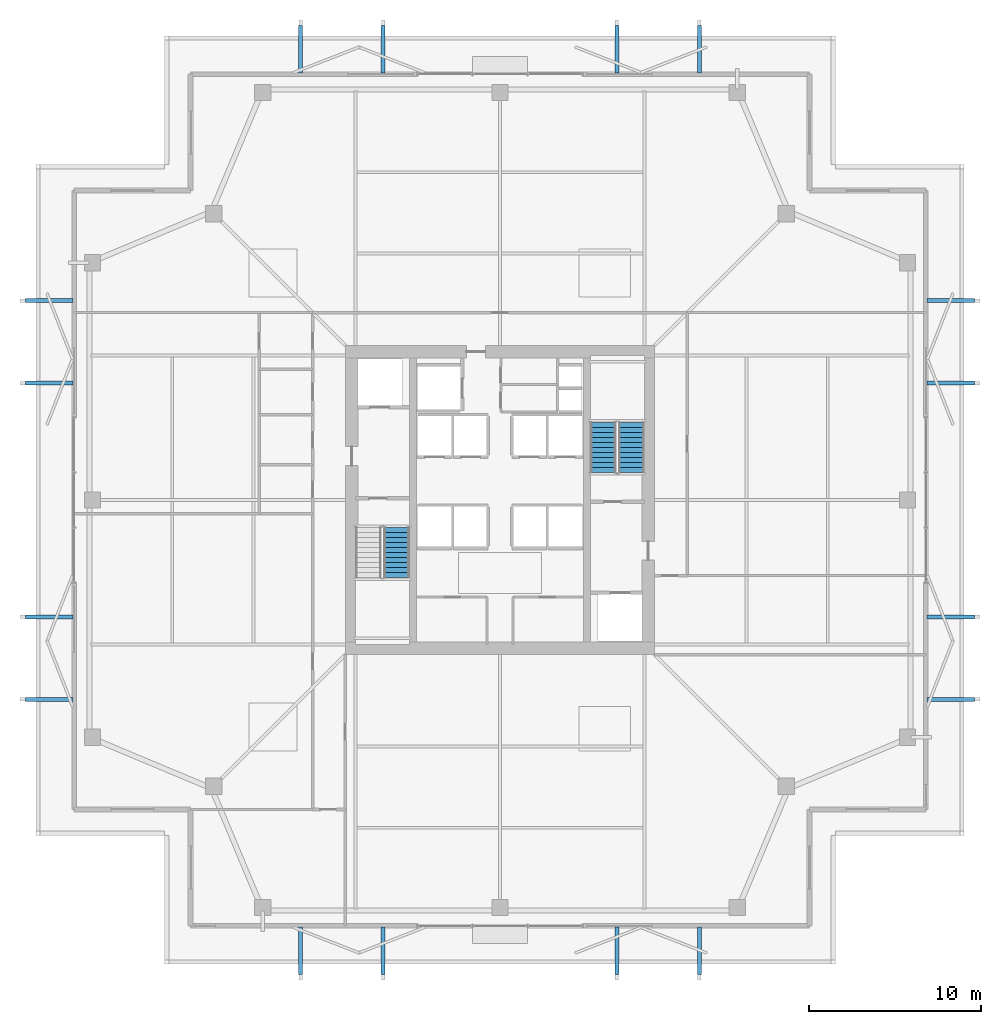
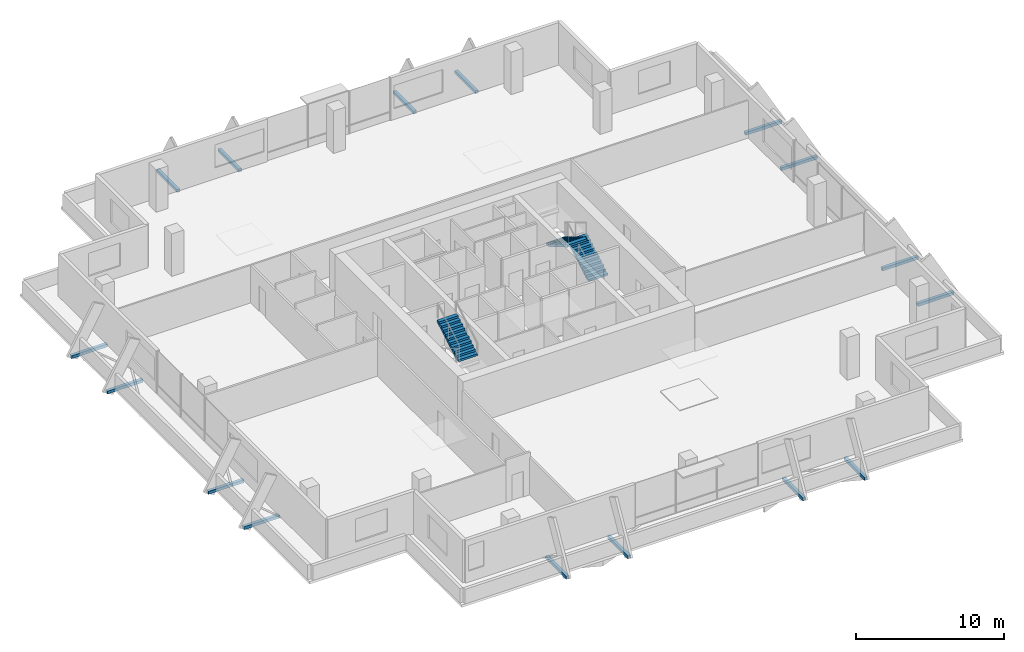
# One storey, part 15 of 17: 16 discrete accessories, 3 stair flights, 2 elements without a shape of their own.
"""IFC4 building model written with IfcOpenShell, lengths in metres."""

from ifc_helpers import new_model, si_unit, direction, frame, origin, origin_2d, place, context, subcontext, project, spatial, polyline, rectangle, outline, extrude, material, layer, layer_set, type_object, element, aggregate, save


model = new_model("IFC4")

# Units and contexts
model_context = context("Model", 3, precision=1e-05, world=origin(), true_north=direction((0.0, 1.0)))
body_context = subcontext(model_context, "Body", "Model", "MODEL_VIEW")
ifc_project = project(units=[si_unit("LENGTHUNIT", "METRE"), si_unit("AREAUNIT", "SQUARE_METRE"), si_unit("VOLUMEUNIT", "CUBIC_METRE"), si_unit("PLANEANGLEUNIT", "RADIAN"), si_unit("MASSUNIT", "GRAM", prefix="KILO")], contexts=[model_context])

# Site, building, storey
site_placement = place(None, origin())
site = spatial("IfcSite", under=ifc_project, at=site_placement, CompositionType="ELEMENT")
building_placement = place(site_placement, origin())
building = spatial("IfcBuilding", under=site, at=building_placement, Name="Belovzor Exchange Tower", CompositionType="ELEMENT")
storey_placement = place(building_placement, frame((0.0, 0.0, 246.60009765625)))
storey = spatial("IfcBuildingStorey", under=building, at=storey_placement, Name="L61", CompositionType="ELEMENT", Elevation=246.60009765625)

# Stair, stair flight
ifc_material_1 = material(Name="Concrete C40/50", Category="concrete")
stair_type = type_object("IfcStairType", Name="Reinforced Concrete Dogleg Escape Stair 1350", PredefinedType="HALF_TURN_STAIR", material=ifc_material_1)
stair_1_placement = place(storey_placement, origin())
stair_1 = element("IfcStair", 1, at=stair_1_placement, inside=storey, type_object=stair_type, Name="L61 ST-1", PredefinedType="HALF_TURN_STAIR")
ifc_material_2 = material(Name="Concrete C40/50", Category="concrete")
stair_flight_type = type_object("IfcStairFlightType", Name="Reinforced Concrete Stair Flight 1350", PredefinedType="STRAIGHT", material=ifc_material_2)
stair_flight_1_placement = place(storey_placement, frame((22.800048828125, 24.300048828125, 1.875), z_axis=(0.0, 0.0, 1.0), x_axis=(0.0, 1.0, 0.0)))
stair_flight_1 = element("IfcStairFlight", 2, at=stair_flight_1_placement, type_object=stair_flight_type, Name="ST-1 flight 2", NumberOfRisers=11, NumberOfTreads=10, PredefinedType="STRAIGHT", RiserHeight=0.170454545, TreadLength=0.29, context=body_context, shape_type="SweptSolid", body=[
    extrude(outline(polyline([(0.0, 0.0), (0.0, 0.17041015625), (0.2900390625, 0.17041015625), (0.2900390625, 0.3408203125), (0.580078125, 0.3408203125), (0.580078125, 0.511474609375), (0.8701171875, 0.511474609375), (0.8701171875, 0.681884765625), (1.159912109375, 0.681884765625), (1.159912109375, 0.852294921875), (1.449951171875, 0.852294921875), (1.449951171875, 1.022705078125), (1.739990234375, 1.022705078125), (1.739990234375, 1.193115234375), (2.030029296875, 1.193115234375), (2.030029296875, 1.363525390625), (2.320068359375, 1.363525390625), (2.320068359375, 1.5341796875), (2.610107421875, 1.5341796875), (2.610107421875, 1.70458984375), (2.89990234375, 1.70458984375), (2.89990234375, 1.875), (2.89990234375, 1.53076171875), (0.2958984375, 0.0), (0.0, 0.0)])), frame((0.0, 0.75, 0.0), z_axis=(0.0, -1.0, 0.0), x_axis=(1.0, 0.0, 0.0)), (0.0, 0.0, 1.0), 1.5),
])
aggregate(stair_1, [stair_flight_1])

# Stair, stair flights
stair_2_placement = place(storey_placement, origin())
stair_2 = element("IfcStair", 3, at=stair_2_placement, inside=storey, type_object=stair_type, Name="L61 ST-2", PredefinedType="HALF_TURN_STAIR")
stair_flight_2_placement = place(storey_placement, frame((36.449951171875, 30.39990234375, 0.0), z_axis=(0.0, 0.0, 1.0), x_axis=(0.0, 1.0, 0.0)))
stair_flight_2 = element("IfcStairFlight", 4, at=stair_flight_2_placement, type_object=stair_flight_type, Name="ST-2 flight 1", NumberOfRisers=11, NumberOfTreads=10, PredefinedType="STRAIGHT", RiserHeight=0.170454545, TreadLength=0.29, context=body_context, shape_type="SweptSolid", body=[
    extrude(outline(polyline([(0.0, 0.0), (0.0, 0.17041015625), (0.2900390625, 0.17041015625), (0.2900390625, 0.3408203125), (0.580078125, 0.3408203125), (0.580078125, 0.511474609375), (0.8701171875, 0.511474609375), (0.8701171875, 0.681884765625), (1.159912109375, 0.681884765625), (1.159912109375, 0.852294921875), (1.449951171875, 0.852294921875), (1.449951171875, 1.022705078125), (1.739990234375, 1.022705078125), (1.739990234375, 1.193115234375), (2.030029296875, 1.193115234375), (2.030029296875, 1.363525390625), (2.320068359375, 1.363525390625), (2.320068359375, 1.5341796875), (2.610107421875, 1.5341796875), (2.610107421875, 1.70458984375), (2.89990234375, 1.70458984375), (2.89990234375, 1.875), (2.89990234375, 1.53076171875), (0.2958984375, 0.0), (0.0, 0.0)])), frame((0.0, 0.75, 0.0), z_axis=(0.0, -1.0, 0.0), x_axis=(1.0, 0.0, 0.0)), (0.0, 0.0, 1.0), 1.5),
])
stair_flight_3_placement = place(storey_placement, frame((34.800048828125, 33.300048828125, 1.875), z_axis=(0.0, 0.0, 1.0), x_axis=(0.0, -1.0, 0.0)))
stair_flight_3 = element("IfcStairFlight", 5, at=stair_flight_3_placement, type_object=stair_flight_type, Name="ST-2 flight 2", NumberOfRisers=11, NumberOfTreads=10, PredefinedType="STRAIGHT", RiserHeight=0.170454545, TreadLength=0.29, context=body_context, shape_type="SweptSolid", body=[
    extrude(outline(polyline([(0.0, 0.0), (0.0, 0.17041015625), (0.2900390625, 0.17041015625), (0.2900390625, 0.3408203125), (0.580078125, 0.3408203125), (0.580078125, 0.511474609375), (0.8701171875, 0.511474609375), (0.8701171875, 0.681884765625), (1.159912109375, 0.681884765625), (1.159912109375, 0.852294921875), (1.449951171875, 0.852294921875), (1.449951171875, 1.022705078125), (1.739990234375, 1.022705078125), (1.739990234375, 1.193115234375), (2.030029296875, 1.193115234375), (2.030029296875, 1.363525390625), (2.320068359375, 1.363525390625), (2.320068359375, 1.5341796875), (2.610107421875, 1.5341796875), (2.610107421875, 1.70458984375), (2.89990234375, 1.70458984375), (2.89990234375, 1.875), (2.89990234375, 1.53076171875), (0.2958984375, 0.0), (0.0, 0.0)])), frame((0.0, 0.75, 0.0), z_axis=(0.0, -1.0, 0.0), x_axis=(1.0, 0.0, 0.0)), (0.0, 0.0, 1.0), 1.5),
])
aggregate(stair_2, [stair_flight_2, stair_flight_3])

# Discrete accessories
ifc_material_3 = material(Name="Stainless Steel Grade 316", Category="steel")
ifc_layer = layer(ifc_material_3, 0.179931640625)
ifc_layer_set = layer_set([ifc_layer], Name="Stainless Steel Grade 316")
discrete_accessory_type = type_object("IfcDiscreteAccessoryType", Name="Stainless Steel Facade Outrigger Fixing Bracket", PredefinedType="BRACKET", material=ifc_layer_set)
for number, where, z_axis, x_axis, name in (
    (6, (17.199951171875, 2.5869140625, -0.2451171875), (0.0, 0.0, 1.0), (0.0, 1.0, 0.0), "BRK-FIN1 Sweeping Fin Outrigger Bracket L61 S1"),
    (7, (17.199951171875, 55.012939453125, -0.2451171875), (0.0, 0.0, 1.0), (0.0, 1.0, 0.0), "BRK-FIN1 Sweeping Fin Outrigger Bracket L61 N1"),
    (8, (2.5869140625, 17.199951171875, -0.2451171875), (0.0, 0.0, 1.0), (1.0, 0.0, 0.0), "BRK-FIN1 Sweeping Fin Outrigger Bracket L61 W1"),
    (9, (55.012939453125, 17.199951171875, -0.2451171875), (0.0, 0.0, 1.0), (1.0, 0.0, 0.0), "BRK-FIN1 Sweeping Fin Outrigger Bracket L61 E1"),
    (10, (22.0, 2.5869140625, -0.2451171875), (0.0, 0.0, 1.0), (0.0, 1.0, 0.0), "BRK-FIN1 Sweeping Fin Outrigger Bracket L61 S2"),
    (11, (22.0, 55.012939453125, -0.2451171875), (0.0, 0.0, 1.0), (0.0, 1.0, 0.0), "BRK-FIN1 Sweeping Fin Outrigger Bracket L61 N2"),
    (12, (2.5869140625, 22.0, -0.2451171875), (0.0, 0.0, 1.0), (1.0, 0.0, 0.0), "BRK-FIN1 Sweeping Fin Outrigger Bracket L61 W2"),
    (13, (55.012939453125, 22.0, -0.2451171875), (0.0, 0.0, 1.0), (1.0, 0.0, 0.0), "BRK-FIN1 Sweeping Fin Outrigger Bracket L61 E2"),
    (14, (35.60009765625, 2.5869140625, -0.2451171875), (0.0, 0.0, 1.0), (0.0, 1.0, 0.0), "BRK-FIN1 Sweeping Fin Outrigger Bracket L61 S3"),
    (15, (35.60009765625, 55.012939453125, -0.2451171875), (0.0, 0.0, 1.0), (0.0, 1.0, 0.0), "BRK-FIN1 Sweeping Fin Outrigger Bracket L61 N3"),
    (16, (2.5869140625, 35.60009765625, -0.2451171875), (0.0, 0.0, 1.0), (1.0, 0.0, 0.0), "BRK-FIN1 Sweeping Fin Outrigger Bracket L61 W3"),
    (17, (55.012939453125, 35.60009765625, -0.2451171875), (0.0, 0.0, 1.0), (1.0, 0.0, 0.0), "BRK-FIN1 Sweeping Fin Outrigger Bracket L61 E3"),
    (18, (40.39990234375, 2.5869140625, -0.2451171875), (0.0, 0.0, 1.0), (0.0, 1.0, 0.0), "BRK-FIN1 Sweeping Fin Outrigger Bracket L61 S4"),
    (19, (40.39990234375, 55.012939453125, -0.2451171875), (0.0, 0.0, 1.0), (0.0, 1.0, 0.0), "BRK-FIN1 Sweeping Fin Outrigger Bracket L61 N4"),
    (20, (2.5869140625, 40.39990234375, -0.2451171875), (0.0, 0.0, 1.0), (1.0, 0.0, 0.0), "BRK-FIN1 Sweeping Fin Outrigger Bracket L61 W4"),
    (21, (55.012939453125, 40.39990234375, -0.2451171875), (0.0, 0.0, 1.0), (1.0, 0.0, 0.0), "BRK-FIN1 Sweeping Fin Outrigger Bracket L61 E4"),
):
    element("IfcDiscreteAccessory", number, at=place(storey_placement, frame(where, z_axis=z_axis, x_axis=x_axis)), inside=storey, type_object=discrete_accessory_type, Name=name, PredefinedType="BRACKET", context=body_context, shape_type="SweptSolid", body=[
        extrude(rectangle(XDim=2.784912109375, YDim=0.239990234375, at=origin_2d()), origin(), (0.0, 0.0, 1.0), 0.239990234375),
    ])

save(model, "model.ifc")
